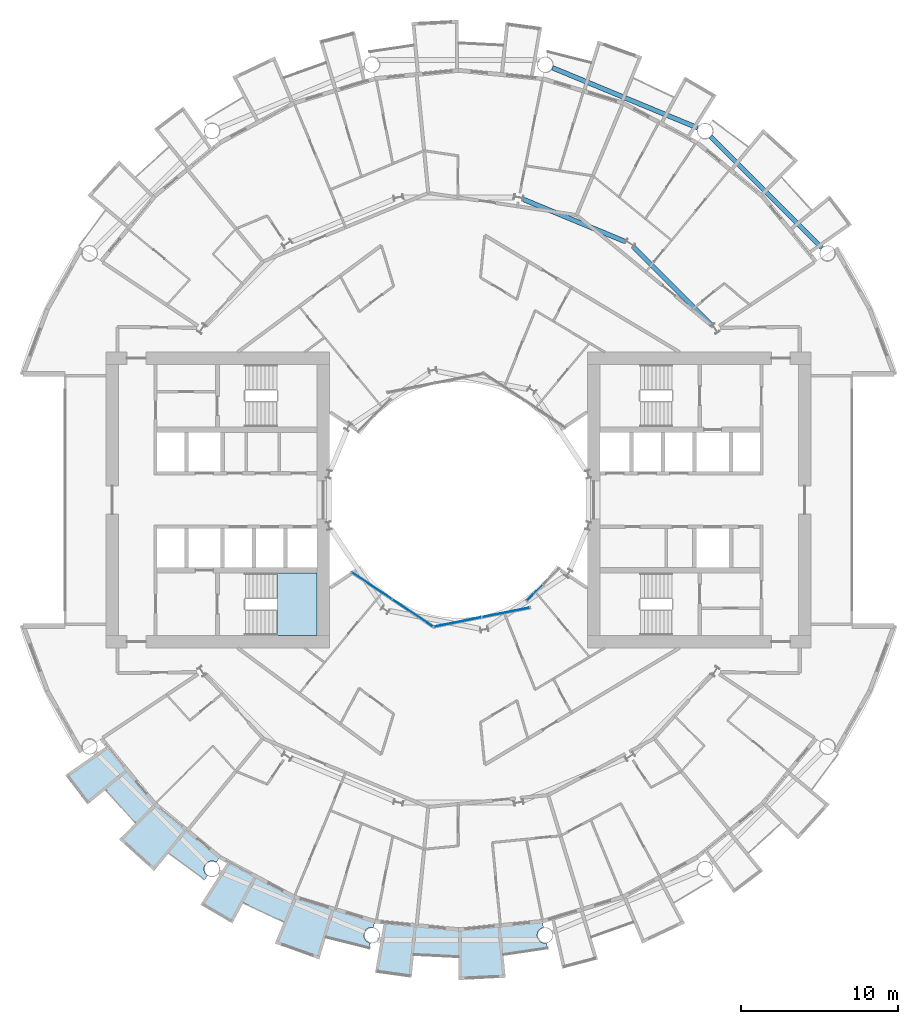
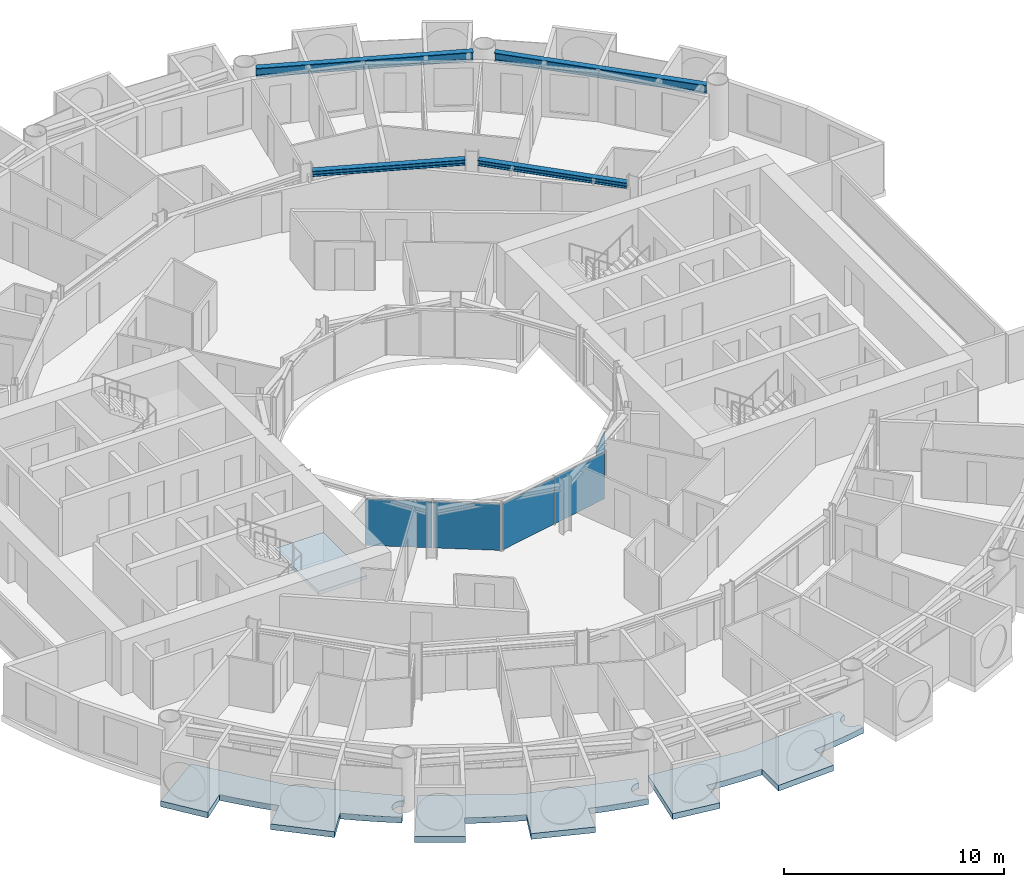
# One storey, part 9 of 26: 5 plates, 4 beams, 4 slabs, 4 elements without a shape of their own.
"""IFC4 building model written with IfcOpenShell, lengths in metres."""

from ifc_helpers import new_model, si_unit, direction, frame, origin, origin_2d, place, context, subcontext, project, spatial, polyline, rectangle, i_section, outline, extrude, material, layer, layer_set, material_profile, profile_set, type_object, element, aggregate, save


model = new_model("IFC4")

# Units and contexts
model_context = context("Model", 3, precision=1e-05, world=origin(), true_north=direction((0.0, 1.0)))
body_context = subcontext(model_context, "Body", "Model", "MODEL_VIEW")
ifc_project = project(units=[si_unit("LENGTHUNIT", "METRE"), si_unit("AREAUNIT", "SQUARE_METRE"), si_unit("VOLUMEUNIT", "CUBIC_METRE"), si_unit("PLANEANGLEUNIT", "RADIAN"), si_unit("MASSUNIT", "GRAM", prefix="KILO")], contexts=[model_context])

# Site, building, storey
site_placement = place(None, origin())
site = spatial("IfcSite", under=ifc_project, at=site_placement, CompositionType="ELEMENT")
building_placement = place(site_placement, origin())
building = spatial("IfcBuilding", under=site, at=building_placement, Name="Maasbend Ring Residences", CompositionType="ELEMENT")
storey_placement = place(building_placement, frame((0.0, 0.0, 47.199951171875)))
storey = spatial("IfcBuildingStorey", under=building, at=storey_placement, Name="L13", CompositionType="ELEMENT", Elevation=47.199951171875)

# Beams
ifc_material_1 = material(Name="Steel S355J2", Category="steel")
ifc_material_profile_1 = material_profile(ifc_material_1, i_section(OverallWidth=0.300048828125, OverallDepth=0.300048828125, WebThickness=0.010986328125, FlangeThickness=0.01904296875, FilletRadius=0.027099609375, at=origin_2d()), Name="HEB 300")
ifc_profile_set_1 = profile_set([ifc_material_profile_1], Name="Steel S355J2")
beam_type_1 = type_object("IfcBeamType", Name="Corridor ring beam HEB 300", PredefinedType="BEAM", material=ifc_profile_set_1)
beam_1_placement = place(storey_placement, frame((16.0732421875, 11.11279296875, 2.550048828125), z_axis=(-0.707106781187, 0.707106781187, 0.0), x_axis=(-0.707106781187, -0.707106781187, 0.0)))
element("IfcBeam", 1, at=beam_1_placement, inside=storey, type_object=beam_type_1, Name="Corridor ring beam", PredefinedType="BEAM", context=body_context, shape_type="SweptSolid", body=[
    extrude(i_section(OverallWidth=0.300048828125, OverallDepth=0.300048828125, WebThickness=0.010986328125, FlangeThickness=0.01904296875, FilletRadius=0.027099609375, at=origin_2d()), origin(), (0.0, 0.0, 1.0), 7.01513671875),
])
beam_2_placement = place(storey_placement, frame((10.59716796875, 16.417724609375, 2.550048828125), z_axis=(-0.923886196809, 0.38266734293, 0.0), x_axis=(-0.38266734293, -0.923886196809, 0.0)))
element("IfcBeam", 2, at=beam_2_placement, inside=storey, type_object=beam_type_1, Name="Corridor ring beam", PredefinedType="BEAM", context=body_context, shape_type="SweptSolid", body=[
    extrude(i_section(OverallWidth=0.300048828125, OverallDepth=0.300048828125, WebThickness=0.010986328125, FlangeThickness=0.01904296875, FilletRadius=0.027099609375, at=origin_2d()), origin(), (0.0, 0.0, 1.0), 7.015380859375),
])
ifc_material_2 = material(Name="Steel S355J2", Category="steel")
ifc_material_profile_2 = material_profile(ifc_material_2, i_section(OverallWidth=0.300048828125, OverallDepth=0.5, WebThickness=0.014404296875, FlangeThickness=0.028076171875, FilletRadius=0.027099609375, at=origin_2d()), Name="HEB 500")
ifc_profile_set_2 = profile_set([ifc_material_profile_2], Name="Steel S355J2")
beam_type_2 = type_object("IfcBeamType", Name="Spandrel ring beam HEB 500", PredefinedType="SPANDREL", material=ifc_profile_set_2)
beam_3_placement = place(storey_placement, frame((23.088134765625, 16.0263671875, 2.449951171875), z_axis=(-0.707106781187, 0.707106781187, 0.0), x_axis=(-0.707106781187, -0.707106781187, 0.0)))
element("IfcBeam", 3, at=beam_3_placement, inside=storey, type_object=beam_type_2, Name="Spandrel ring beam", PredefinedType="SPANDREL", context=body_context, shape_type="SweptSolid", body=[
    extrude(i_section(OverallWidth=0.300048828125, OverallDepth=0.5, WebThickness=0.014404296875, FlangeThickness=0.028076171875, FilletRadius=0.027099609375, at=origin_2d()), origin(), (0.0, 0.0, 1.0), 9.98681640625),
])
beam_4_placement = place(storey_placement, frame((15.19775390625, 23.641845703125, 2.449951171875), z_axis=(-0.923886337442, 0.382667003395, 0.0), x_axis=(-0.382667003395, -0.923886337442, 0.0)))
element("IfcBeam", 4, at=beam_4_placement, inside=storey, type_object=beam_type_2, Name="Spandrel ring beam", PredefinedType="SPANDREL", context=body_context, shape_type="SweptSolid", body=[
    extrude(i_section(OverallWidth=0.300048828125, OverallDepth=0.5, WebThickness=0.014404296875, FlangeThickness=0.028076171875, FilletRadius=0.027099609375, at=origin_2d()), origin(), (0.0, 0.0, 1.0), 9.9873046875),
])

# Stair, slab
ifc_material_3 = material(Name="Concrete C40/50", Category="concrete")
stair_type = type_object("IfcStairType", Name="CORE STAIR 18 RISERS", PredefinedType="HALF_TURN_STAIR", material=ifc_material_3)
stair_placement = place(storey_placement, origin())
stair = element("IfcStair", 5, at=stair_placement, inside=storey, type_object=stair_type, Name="L13 Exit stair ST-W1", PredefinedType="HALF_TURN_STAIR")
ifc_material_4 = material(Name="Concrete C40/50", Category="concrete")
ifc_layer_1 = layer(ifc_material_4, 0.199951171875)
ifc_layer_set_1 = layer_set([ifc_layer_1], Name="Concrete C40/50")
slab_type_1 = type_object("IfcSlabType", Name="CORE STAIR LANDING 200", PredefinedType="LANDING", material=ifc_layer_set_1)
slab_1_placement = place(storey_placement, frame((0.0, 0.0, 1.324951171875)))
slab_1 = element("IfcSlab", 6, at=slab_1_placement, type_object=slab_type_1, Name="ST-W1 landing 1", PredefinedType="LANDING", context=body_context, shape_type="SweptSolid", body=[
    extrude(outline(polyline([(-11.550048828125, -8.60009765625), (-9.0, -8.60009765625), (-9.0, -4.64990234375), (-11.550048828125, -4.64990234375), (-11.550048828125, -8.60009765625)])), origin(), (0.0, 0.0, 1.0), 0.2001953125),
])
aggregate(stair, [slab_1])

# Curtain wall, plates
ifc_material_5 = material(Name="Aluminium and clear glass", Category="aluminium")
ifc_layer_2 = layer(ifc_material_5, 0.179931640625)
ifc_layer_set_2 = layer_set([ifc_layer_2], Name="CW-W")
curtain_wall_type = type_object("IfcCurtainWallType", Name="CW-W", PredefinedType="NOTDEFINED", material=ifc_layer_set_2)
curtain_wall_1_placement = place(storey_placement, origin())
curtain_wall_1 = element("IfcCurtainWall", 7, at=curtain_wall_1_placement, inside=storey, type_object=curtain_wall_type, Name="Well curtain wall S1", PredefinedType="NOTDEFINED")
ifc_material_6 = material(Name="Glass clear laminated", Category="glass")
ifc_layer_3 = layer(ifc_material_6, 0.031982421875)
ifc_layer_set_3 = layer_set([ifc_layer_3], Name="CWP-W")
plate_type = type_object("IfcPlateType", Name="CWP-W", PredefinedType="CURTAIN_PANEL", material=ifc_layer_set_3)
plate_1_placement = place(storey_placement, frame((-5.51123046875, -5.44580078125, 0.0), z_axis=(0.0, 0.0, 1.0), x_axis=(0.831469612303, -0.55557023302, 0.0)))
plate_1 = element("IfcPlate", 8, at=plate_1_placement, type_object=plate_type, Name="Glass panel well face", PredefinedType="CURTAIN_PANEL", context=body_context, shape_type="SweptSolid", body=[
    extrude(rectangle(XDim=3.053955078125, YDim=0.031982421875, at=origin_2d()), origin(), (0.0, 0.0, 1.0), 2.580078125),
])
plate_2_placement = place(storey_placement, frame((-2.922119140625, -7.17578125, 0.0), z_axis=(0.0, 0.0, 1.0), x_axis=(0.831469612303, -0.55557023302, 0.0)))
plate_2 = element("IfcPlate", 9, at=plate_2_placement, type_object=plate_type, Name="Glass panel well face", PredefinedType="CURTAIN_PANEL", context=body_context, shape_type="SweptSolid", body=[
    extrude(rectangle(XDim=3.053955078125, YDim=0.031982421875, at=origin_2d()), origin(), (0.0, 0.0, 1.0), 2.580078125),
])
aggregate(curtain_wall_1, [plate_1, plate_2])

curtain_wall_2_placement = place(storey_placement, origin())
curtain_wall_2 = element("IfcCurtainWall", 10, at=curtain_wall_2_placement, inside=storey, type_object=curtain_wall_type, Name="Well curtain wall S2", PredefinedType="NOTDEFINED")
plate_3_placement = place(storey_placement, frame((-0.04638671875, -7.747802734375, 0.0), z_axis=(0.0, 0.0, 1.0), x_axis=(0.980785280403, 0.195090322016, 0.0)))
plate_3 = element("IfcPlate", 11, at=plate_3_placement, type_object=plate_type, Name="Glass panel well face", PredefinedType="CURTAIN_PANEL", context=body_context, shape_type="SweptSolid", body=[
    extrude(rectangle(XDim=3.053955078125, YDim=0.031982421875, at=origin_2d()), origin(), (0.0, 0.0, 1.0), 2.580078125),
])
plate_4_placement = place(storey_placement, frame((3.0078125, -7.140380859375, 0.0), z_axis=(0.0, 0.0, 1.0), x_axis=(0.980785280403, 0.195090322016, 0.0)))
plate_4 = element("IfcPlate", 12, at=plate_4_placement, type_object=plate_type, Name="Glass panel well face", PredefinedType="CURTAIN_PANEL", context=body_context, shape_type="SweptSolid", body=[
    extrude(rectangle(XDim=3.053955078125, YDim=0.031982421875, at=origin_2d()), origin(), (0.0, 0.0, 1.0), 2.580078125),
])
aggregate(curtain_wall_2, [plate_3, plate_4])

# Curtain wall, plate
curtain_wall_3_placement = place(storey_placement, origin())
curtain_wall_3 = element("IfcCurtainWall", 13, at=curtain_wall_3_placement, inside=storey, type_object=curtain_wall_type, Name="Well curtain wall S3", PredefinedType="NOTDEFINED")
plate_5_placement = place(storey_placement, frame((4.84375, -5.89013671875, 0.0), z_axis=(0.0, 0.0, 1.0), x_axis=(0.707106781187, 0.707106781187, 0.0)))
plate_5 = element("IfcPlate", 14, at=plate_5_placement, type_object=plate_type, Name="Glass panel well face", PredefinedType="CURTAIN_PANEL", context=body_context, shape_type="SweptSolid", body=[
    extrude(rectangle(XDim=1.419677734375, YDim=0.031982421875, at=origin_2d()), origin(), (0.0, 0.0, 1.0), 2.580078125),
])
aggregate(curtain_wall_3, [plate_5])

# Slabs
ifc_material_7 = material(Name="Concrete C40/50", Category="concrete")
ifc_layer_4 = layer(ifc_material_7, 0.199951171875)
ifc_layer_set_4 = layer_set([ifc_layer_4], Name="Concrete C40/50")
slab_type_2 = type_object("IfcSlabType", Name="SL-LOGGIA", PredefinedType="FLOOR", material=ifc_layer_set_4)
slab_2_placement = place(storey_placement, frame((0.0, 0.0, -0.349853515625)))
element("IfcSlab", 15, at=slab_2_placement, inside=storey, type_object=slab_type_2, Name="Loggia floor 2", PredefinedType="FLOOR", context=body_context, shape_type="SweptSolid", body=[
    extrude(outline(polyline([(-12.806884765625, -23.9609375), (-10.447021484375, -25.221923828125), (-10.447021484375, -25.221923828125), (-10.447021484375, -25.221923828125), (-7.886962890625, -25.9990234375), (-5.325927734375, -26.77490234375), (-5.325927734375, -26.77490234375), (-5.325927734375, -26.77490234375), (-5.402099609375, -27.159912109375), (-5.4150390625, -27.157958984375), (-5.427001953125, -27.156005859375), (-5.43896484375, -27.154052734375), (-5.451904296875, -27.153076171875), (-5.464111328125, -27.15087890625), (-5.47705078125, -27.15087890625), (-5.489013671875, -27.14990234375), (-5.501953125, -27.14990234375), (-5.513916015625, -27.14990234375), (-5.52587890625, -27.15087890625), (-5.5390625, -27.15087890625), (-5.551025390625, -27.153076171875), (-5.56396484375, -27.154052734375), (-5.575927734375, -27.156005859375), (-5.587890625, -27.157958984375), (-5.60107421875, -27.159912109375), (-5.613037109375, -27.162109375), (-5.625, -27.1650390625), (-5.636962890625, -27.1689453125), (-5.64892578125, -27.172119140625), (-5.660888671875, -27.176025390625), (-5.673095703125, -27.179931640625), (-5.68408203125, -27.18408203125), (-5.696044921875, -27.18896484375), (-5.70703125, -27.194091796875), (-5.718994140625, -27.198974609375), (-5.72998046875, -27.2041015625), (-5.740966796875, -27.2099609375), (-5.751953125, -27.216064453125), (-5.762939453125, -27.221923828125), (-5.77294921875, -27.22900390625), (-5.783935546875, -27.236083984375), (-5.7939453125, -27.242919921875), (-5.803955078125, -27.25), (-5.81396484375, -27.258056640625), (-5.823974609375, -27.264892578125), (-5.8330078125, -27.27294921875), (-5.843017578125, -27.281982421875), (-5.85205078125, -27.2900390625), (-5.861083984375, -27.299072265625), (-5.868896484375, -27.30810546875), (-5.8779296875, -27.31689453125), (-5.885986328125, -27.325927734375), (-5.89404296875, -27.3359375), (-5.902099609375, -27.345947265625), (-5.909912109375, -27.35498046875), (-5.9169921875, -27.365966796875), (-5.924072265625, -27.3759765625), (-5.930908203125, -27.385986328125), (-5.93701171875, -27.39697265625), (-5.944091796875, -27.407958984375), (-5.949951171875, -27.4189453125), (-5.955078125, -27.429931640625), (-5.9609375, -27.44091796875), (-5.966064453125, -27.451904296875), (-5.970947265625, -27.464111328125), (-5.97509765625, -27.47509765625), (-5.97998046875, -27.487060546875), (-5.98388671875, -27.4990234375), (-5.988037109375, -27.510986328125), (-5.990966796875, -27.52294921875), (-5.993896484375, -27.534912109375), (-5.9970703125, -27.547119140625), (-6.0, -27.55908203125), (-6.001953125, -27.571044921875), (-6.00390625, -27.583984375), (-6.006103515625, -27.595947265625), (-6.007080078125, -27.60791015625), (-6.008056640625, -27.62109375), (-6.009033203125, -27.633056640625), (-6.009033203125, -27.64599609375), (-6.010009765625, -27.657958984375), (-6.009033203125, -27.6708984375), (-6.009033203125, -27.68310546875), (-6.008056640625, -27.695068359375), (-6.007080078125, -27.7080078125), (-6.006103515625, -27.719970703125), (-6.00390625, -27.73291015625), (-6.001953125, -27.7451171875), (-6.0, -27.757080078125), (-5.9970703125, -27.76904296875), (-5.993896484375, -27.781982421875), (-5.990966796875, -27.7939453125), (-5.988037109375, -27.805908203125), (-5.98388671875, -27.81689453125), (-5.97998046875, -27.8291015625), (-5.97509765625, -27.841064453125), (-5.970947265625, -27.85302734375), (-5.966064453125, -27.864013671875), (-5.9609375, -27.875), (-5.955078125, -27.886962890625), (-5.949951171875, -27.89794921875), (-5.944091796875, -27.907958984375), (-5.93701171875, -27.9189453125), (-5.930908203125, -27.929931640625), (-5.924072265625, -27.93994140625), (-5.9169921875, -27.950927734375), (-5.909912109375, -27.9609375), (-5.902099609375, -27.970947265625), (-5.89404296875, -27.97998046875), (-5.885986328125, -27.989990234375), (-5.8779296875, -27.9990234375), (-5.868896484375, -28.008056640625), (-5.861083984375, -28.01708984375), (-5.85205078125, -28.02587890625), (-5.843017578125, -28.034912109375), (-5.8330078125, -28.04296875), (-5.823974609375, -28.051025390625), (-5.81396484375, -28.05908203125), (-5.803955078125, -28.06591796875), (-5.7939453125, -28.072998046875), (-5.783935546875, -28.080078125), (-5.77294921875, -28.0869140625), (-5.762939453125, -28.093994140625), (-5.751953125, -28.10009765625), (-5.740966796875, -28.10595703125), (-5.72998046875, -28.112060546875), (-5.718994140625, -28.116943359375), (-5.70703125, -28.123046875), (-5.696044921875, -28.126953125), (-5.68408203125, -28.132080078125), (-5.673095703125, -28.135986328125), (-5.660888671875, -28.139892578125), (-5.64892578125, -28.14404296875), (-5.636962890625, -28.14794921875), (-5.625, -28.15087890625), (-5.613037109375, -28.154052734375), (-5.60107421875, -28.156005859375), (-5.657958984375, -28.443115234375), (-5.657958984375, -28.443115234375), (-5.657958984375, -28.443115234375), (-6.5849609375, -28.241943359375), (-6.5849609375, -28.241943359375), (-7.506103515625, -28.011962890625), (-7.506103515625, -28.011962890625), (-8.41796875, -27.7509765625), (-8.41796875, -27.7509765625), (-8.41796875, -27.7509765625), (-8.41796875, -27.7509765625), (-8.41796875, -27.7509765625), (-8.41796875, -27.7509765625), (-8.41796875, -27.7509765625), (-8.41796875, -27.7509765625), (-8.41796875, -27.7509765625), (-8.41796875, -27.7509765625), (-8.41796875, -27.751953125), (-8.41796875, -27.751953125), (-8.41796875, -27.751953125), (-8.41796875, -27.751953125), (-8.41796875, -27.751953125), (-8.41796875, -27.751953125), (-8.41796875, -27.751953125), (-8.85400390625, -29.18701171875), (-8.85400390625, -29.18701171875), (-8.85400390625, -29.18701171875), (-11.672119140625, -28.177978515625), (-11.672119140625, -28.177978515625), (-11.672119140625, -28.177978515625), (-11.097900390625, -26.79296875), (-11.097900390625, -26.79296875), (-11.097900390625, -26.79296875), (-11.097900390625, -26.79296875), (-11.097900390625, -26.79296875), (-11.097900390625, -26.79296875), (-11.097900390625, -26.79296875), (-11.097900390625, -26.79296875), (-11.097900390625, -26.79296875), (-11.097900390625, -26.79296875), (-11.097900390625, -26.7919921875), (-11.097900390625, -26.7919921875), (-11.097900390625, -26.7919921875), (-11.097900390625, -26.7919921875), (-11.097900390625, -26.7919921875), (-11.097900390625, -26.7919921875), (-11.097900390625, -26.7919921875), (-11.968994140625, -26.4150390625), (-11.968994140625, -26.4150390625), (-12.825927734375, -26.009033203125), (-12.825927734375, -26.009033203125), (-13.669921875, -25.575927734375), (-13.669921875, -25.575927734375), (-13.669921875, -25.575927734375), (-13.669921875, -25.575927734375), (-13.669921875, -25.575927734375), (-13.669921875, -25.575927734375), (-13.669921875, -25.575927734375), (-13.669921875, -25.575927734375), (-13.669921875, -25.575927734375), (-13.669921875, -25.575927734375), (-13.6708984375, -25.575927734375), (-13.6708984375, -25.575927734375), (-13.6708984375, -25.575927734375), (-13.6708984375, -25.575927734375), (-13.6708984375, -25.575927734375), (-13.6708984375, -25.575927734375), (-13.6708984375, -25.575927734375), (-14.3779296875, -26.89892578125), (-14.3779296875, -26.89892578125), (-14.3779296875, -26.89892578125), (-16.39404296875, -25.718994140625), (-16.39404296875, -25.718994140625), (-16.39404296875, -25.718994140625), (-14.64599609375, -22.97705078125), (-14.64599609375, -22.97705078125), (-14.64599609375, -22.97705078125), (-12.806884765625, -23.9609375)])), origin(), (0.0, 0.0, 1.0), 0.31982421875),
])
slab_3_placement = place(storey_placement, frame((0.0, 0.0, -0.349853515625)))
element("IfcSlab", 16, at=slab_3_placement, inside=storey, type_object=slab_type_2, Name="Loggia floor 3", PredefinedType="FLOOR", context=body_context, shape_type="SweptSolid", body=[
    extrude(outline(polyline([(-2.6630859375, -27.0380859375), (0.0, -27.300048828125), (0.0, -27.300048828125), (0.0, -27.300048828125), (2.6630859375, -27.0380859375), (5.325927734375, -26.77490234375), (5.325927734375, -26.77490234375), (5.325927734375, -26.77490234375), (5.402099609375, -27.159912109375), (5.402099609375, -27.159912109375), (5.389892578125, -27.162109375), (5.3779296875, -27.1650390625), (5.365966796875, -27.1689453125), (5.35400390625, -27.172119140625), (5.342041015625, -27.176025390625), (5.330078125, -27.179931640625), (5.319091796875, -27.18408203125), (5.306884765625, -27.18896484375), (5.2958984375, -27.194091796875), (5.283935546875, -27.198974609375), (5.27294921875, -27.2041015625), (5.261962890625, -27.2099609375), (5.2509765625, -27.216064453125), (5.239990234375, -27.221923828125), (5.22998046875, -27.22900390625), (5.218994140625, -27.236083984375), (5.208984375, -27.242919921875), (5.198974609375, -27.25), (5.18896484375, -27.258056640625), (5.178955078125, -27.264892578125), (5.169921875, -27.27294921875), (5.159912109375, -27.281982421875), (5.15087890625, -27.2900390625), (5.14208984375, -27.299072265625), (5.134033203125, -27.30810546875), (5.125, -27.31689453125), (5.116943359375, -27.325927734375), (5.10888671875, -27.3359375), (5.10107421875, -27.345947265625), (5.093017578125, -27.35498046875), (5.0859375, -27.365966796875), (5.0791015625, -27.3759765625), (5.072021484375, -27.385986328125), (5.06591796875, -27.39697265625), (5.05908203125, -27.407958984375), (5.052978515625, -27.4189453125), (5.048095703125, -27.429931640625), (5.0419921875, -27.44091796875), (5.037109375, -27.451904296875), (5.031982421875, -27.464111328125), (5.028076171875, -27.47509765625), (5.02294921875, -27.487060546875), (5.01904296875, -27.4990234375), (5.014892578125, -27.510986328125), (5.011962890625, -27.52294921875), (5.009033203125, -27.534912109375), (5.006103515625, -27.547119140625), (5.0029296875, -27.55908203125), (5.0009765625, -27.571044921875), (4.9990234375, -27.583984375), (4.9970703125, -27.595947265625), (4.99609375, -27.60791015625), (4.9951171875, -27.62109375), (4.993896484375, -27.633056640625), (4.993896484375, -27.64599609375), (4.993896484375, -27.657958984375), (4.993896484375, -27.6708984375), (4.993896484375, -27.68310546875), (4.9951171875, -27.695068359375), (4.99609375, -27.7080078125), (4.9970703125, -27.719970703125), (4.9990234375, -27.73291015625), (5.0009765625, -27.7451171875), (5.0029296875, -27.757080078125), (5.006103515625, -27.76904296875), (5.009033203125, -27.781982421875), (5.011962890625, -27.7939453125), (5.014892578125, -27.805908203125), (5.01904296875, -27.81689453125), (5.02294921875, -27.8291015625), (5.028076171875, -27.841064453125), (5.031982421875, -27.85302734375), (5.037109375, -27.864013671875), (5.0419921875, -27.875), (5.048095703125, -27.886962890625), (5.052978515625, -27.89794921875), (5.05908203125, -27.907958984375), (5.06591796875, -27.9189453125), (5.072021484375, -27.929931640625), (5.0791015625, -27.93994140625), (5.0859375, -27.950927734375), (5.093017578125, -27.9609375), (5.10107421875, -27.970947265625), (5.10888671875, -27.97998046875), (5.116943359375, -27.989990234375), (5.125, -27.9990234375), (5.134033203125, -28.008056640625), (5.14208984375, -28.01708984375), (5.15087890625, -28.02587890625), (5.159912109375, -28.034912109375), (5.169921875, -28.04296875), (5.178955078125, -28.051025390625), (5.18896484375, -28.05908203125), (5.198974609375, -28.06591796875), (5.208984375, -28.072998046875), (5.218994140625, -28.080078125), (5.22998046875, -28.0869140625), (5.239990234375, -28.093994140625), (5.2509765625, -28.10009765625), (5.261962890625, -28.10595703125), (5.27294921875, -28.112060546875), (5.283935546875, -28.116943359375), (5.2958984375, -28.123046875), (5.306884765625, -28.126953125), (5.319091796875, -28.132080078125), (5.330078125, -28.135986328125), (5.342041015625, -28.139892578125), (5.35400390625, -28.14404296875), (5.365966796875, -28.14794921875), (5.3779296875, -28.15087890625), (5.389892578125, -28.154052734375), (5.402099609375, -28.156005859375), (5.4150390625, -28.158935546875), (5.427001953125, -28.160888671875), (5.43896484375, -28.162109375), (5.451904296875, -28.1640625), (5.464111328125, -28.1650390625), (5.47705078125, -28.1650390625), (5.489013671875, -28.166015625), (5.501953125, -28.166015625), (5.513916015625, -28.166015625), (5.52587890625, -28.1650390625), (5.5390625, -28.1650390625), (5.551025390625, -28.1640625), (5.56396484375, -28.162109375), (5.575927734375, -28.160888671875), (5.587890625, -28.158935546875), (5.60107421875, -28.156005859375), (5.60107421875, -28.156005859375), (5.657958984375, -28.443115234375), (5.657958984375, -28.443115234375), (5.657958984375, -28.443115234375), (4.72412109375, -28.613037109375), (4.72412109375, -28.613037109375), (3.784912109375, -28.751953125), (3.784912109375, -28.751953125), (2.843017578125, -28.860107421875), (2.843017578125, -28.860107421875), (2.843017578125, -28.860107421875), (2.843017578125, -28.860107421875), (2.843017578125, -28.860107421875), (2.843017578125, -28.860107421875), (2.843017578125, -28.860107421875), (2.843017578125, -28.860107421875), (2.843017578125, -28.860107421875), (2.843017578125, -28.861083984375), (2.843017578125, -28.861083984375), (2.843017578125, -28.861083984375), (2.843017578125, -28.861083984375), (2.843017578125, -28.861083984375), (2.843017578125, -28.861083984375), (2.843017578125, -28.861083984375), (2.843017578125, -28.861083984375), (2.989990234375, -30.35302734375), (2.989990234375, -30.35302734375), (2.989990234375, -30.35302734375), (0.0, -30.5), (0.0, -30.5), (0.0, -30.5), (0.0, -29.0), (0.0, -29.0), (0.0, -29.0), (0.0, -29.0), (0.0, -29.0), (0.0, -29.0), (0.0, -29.0), (0.0, -29.0), (0.0, -29.0), (0.0, -29.0), (0.0, -29.0), (0.0, -29.0), (0.0, -29.0), (0.0, -29.0), (0.0, -29.0), (0.0, -29.0), (0.0, -29.0), (-0.948974609375, -28.98388671875), (-0.948974609375, -28.98388671875), (-1.89697265625, -28.93798828125), (-1.89697265625, -28.93798828125), (-2.842041015625, -28.860107421875), (-2.842041015625, -28.860107421875), (-2.842041015625, -28.860107421875), (-2.842041015625, -28.860107421875), (-2.842041015625, -28.860107421875), (-2.842041015625, -28.860107421875), (-2.842041015625, -28.860107421875), (-2.842041015625, -28.860107421875), (-2.842041015625, -28.861083984375), (-2.842041015625, -28.861083984375), (-2.842041015625, -28.861083984375), (-2.842041015625, -28.861083984375), (-2.842041015625, -28.861083984375), (-2.843017578125, -28.861083984375), (-2.843017578125, -28.861083984375), (-2.843017578125, -28.861083984375), (-2.843017578125, -28.861083984375), (-2.989990234375, -30.35302734375), (-2.989990234375, -30.35302734375), (-2.989990234375, -30.35302734375), (-5.303955078125, -30.034912109375), (-5.303955078125, -30.034912109375), (-5.303955078125, -30.034912109375), (-4.739013671875, -26.8330078125), (-4.739013671875, -26.8330078125), (-4.739013671875, -26.8330078125), (-2.6630859375, -27.0380859375)])), origin(), (0.0, 0.0, 1.0), 0.31982421875),
])
slab_4_placement = place(storey_placement, frame((0.0, 0.0, -0.349853515625)))
element("IfcSlab", 17, at=slab_4_placement, inside=storey, type_object=slab_type_2, Name="Loggia floor 5", PredefinedType="FLOOR", context=body_context, shape_type="SweptSolid", body=[
    extrude(outline(polyline([(-21.001953125, -17.236083984375), (-19.303955078125, -19.303955078125), (-19.303955078125, -19.303955078125), (-19.303955078125, -19.303955078125), (-17.236083984375, -21.001953125), (-15.1669921875, -22.698974609375), (-15.1669921875, -22.698974609375), (-15.1669921875, -22.698974609375), (-15.385009765625, -23.02490234375), (-15.385009765625, -23.02490234375), (-15.39501953125, -23.01806640625), (-15.406005859375, -23.011962890625), (-15.4169921875, -23.0048828125), (-15.427978515625, -22.9990234375), (-15.43896484375, -22.993896484375), (-15.449951171875, -22.988037109375), (-15.4609375, -22.98291015625), (-15.472900390625, -22.97802734375), (-15.48388671875, -22.972900390625), (-15.49609375, -22.968994140625), (-15.508056640625, -22.965087890625), (-15.52001953125, -22.9609375), (-15.531982421875, -22.9580078125), (-15.5439453125, -22.955078125), (-15.555908203125, -22.951904296875), (-15.568115234375, -22.948974609375), (-15.580078125, -22.947021484375), (-15.593017578125, -22.945068359375), (-15.60498046875, -22.943115234375), (-15.616943359375, -22.94189453125), (-15.6298828125, -22.94091796875), (-15.64208984375, -22.93994140625), (-15.655029296875, -22.93994140625), (-15.6669921875, -22.93896484375), (-15.679931640625, -22.93994140625), (-15.69189453125, -22.93994140625), (-15.7041015625, -22.94091796875), (-15.717041015625, -22.94189453125), (-15.72900390625, -22.943115234375), (-15.741943359375, -22.945068359375), (-15.75390625, -22.947021484375), (-15.76611328125, -22.948974609375), (-15.778076171875, -22.951904296875), (-15.791015625, -22.955078125), (-15.802978515625, -22.9580078125), (-15.81494140625, -22.9609375), (-15.825927734375, -22.965087890625), (-15.837890625, -22.968994140625), (-15.85009765625, -22.972900390625), (-15.862060546875, -22.97802734375), (-15.873046875, -22.98291015625), (-15.884033203125, -22.988037109375), (-15.89599609375, -22.993896484375), (-15.906982421875, -22.9990234375), (-15.9169921875, -23.0048828125), (-15.927978515625, -23.011962890625), (-15.93896484375, -23.01806640625), (-15.948974609375, -23.02490234375), (-15.9599609375, -23.031982421875), (-15.969970703125, -23.0390625), (-15.97998046875, -23.047119140625), (-15.989013671875, -23.054931640625), (-15.9990234375, -23.06298828125), (-16.008056640625, -23.071044921875), (-16.01708984375, -23.0791015625), (-16.02587890625, -23.087890625), (-16.034912109375, -23.096923828125), (-16.0439453125, -23.10595703125), (-16.052001953125, -23.115966796875), (-16.06005859375, -23.125), (-16.068115234375, -23.135009765625), (-16.074951171875, -23.14501953125), (-16.08203125, -23.155029296875), (-16.089111328125, -23.1650390625), (-16.095947265625, -23.176025390625), (-16.10302734375, -23.18603515625), (-16.10888671875, -23.197021484375), (-16.114990234375, -23.2080078125), (-16.12109375, -23.218994140625), (-16.1259765625, -23.22998046875), (-16.132080078125, -23.241943359375), (-16.135986328125, -23.2529296875), (-16.14111328125, -23.264892578125), (-16.14501953125, -23.27587890625), (-16.14892578125, -23.2880859375), (-16.153076171875, -23.300048828125), (-16.156982421875, -23.31201171875), (-16.159912109375, -23.323974609375), (-16.1630859375, -23.3359375), (-16.1650390625, -23.347900390625), (-16.16796875, -23.361083984375), (-16.169921875, -23.373046875), (-16.1708984375, -23.385009765625), (-16.173095703125, -23.39794921875), (-16.174072265625, -23.409912109375), (-16.174072265625, -23.422119140625), (-16.175048828125, -23.43505859375), (-16.175048828125, -23.447021484375), (-16.175048828125, -23.4599609375), (-16.174072265625, -23.471923828125), (-16.174072265625, -23.485107421875), (-16.173095703125, -23.4970703125), (-16.1708984375, -23.510009765625), (-16.169921875, -23.52197265625), (-16.16796875, -23.533935546875), (-16.1650390625, -23.547119140625), (-16.1630859375, -23.55908203125), (-16.159912109375, -23.571044921875), (-16.156982421875, -23.5830078125), (-16.153076171875, -23.594970703125), (-16.14892578125, -23.60693359375), (-16.14501953125, -23.618896484375), (-16.14111328125, -23.6298828125), (-16.135986328125, -23.64208984375), (-16.132080078125, -23.653076171875), (-16.1259765625, -23.6650390625), (-16.12109375, -23.676025390625), (-16.114990234375, -23.68701171875), (-16.10888671875, -23.697998046875), (-16.10302734375, -23.708984375), (-16.095947265625, -23.718994140625), (-16.089111328125, -23.72998046875), (-16.08203125, -23.739990234375), (-16.074951171875, -23.75), (-16.068115234375, -23.760009765625), (-16.06005859375, -23.77001953125), (-16.052001953125, -23.779052734375), (-16.0439453125, -23.7890625), (-16.034912109375, -23.798095703125), (-16.02587890625, -23.806884765625), (-16.01708984375, -23.81494140625), (-16.008056640625, -23.823974609375), (-15.9990234375, -23.83203125), (-15.989013671875, -23.840087890625), (-15.97998046875, -23.847900390625), (-15.969970703125, -23.85498046875), (-15.9599609375, -23.863037109375), (-15.948974609375, -23.8701171875), (-15.948974609375, -23.8701171875), (-16.112060546875, -24.113037109375), (-16.112060546875, -24.113037109375), (-16.112060546875, -24.113037109375), (-16.89208984375, -23.572998046875), (-16.89208984375, -23.572998046875), (-17.654052734375, -23.007080078125), (-17.654052734375, -23.007080078125), (-18.39697265625, -22.41796875), (-18.39697265625, -22.41796875), (-18.39697265625, -22.41796875), (-18.39697265625, -22.41796875), (-18.39697265625, -22.41796875), (-18.39697265625, -22.41796875), (-18.39697265625, -22.41796875), (-18.39697265625, -22.41796875), (-18.39697265625, -22.41796875), (-18.39697265625, -22.41796875), (-18.39697265625, -22.41796875), (-18.39794921875, -22.41796875), (-18.39794921875, -22.41796875), (-18.39794921875, -22.41796875), (-18.39794921875, -22.41796875), (-18.39794921875, -22.41796875), (-18.39794921875, -22.41796875), (-19.34912109375, -23.576904296875), (-19.34912109375, -23.576904296875), (-19.34912109375, -23.576904296875), (-21.56689453125, -21.56689453125), (-21.56689453125, -21.56689453125), (-21.56689453125, -21.56689453125), (-20.506103515625, -20.506103515625), (-20.506103515625, -20.506103515625), (-20.506103515625, -20.506103515625), (-20.506103515625, -20.506103515625), (-20.506103515625, -20.506103515625), (-20.506103515625, -20.506103515625), (-20.506103515625, -20.506103515625), (-20.506103515625, -20.506103515625), (-20.506103515625, -20.506103515625), (-20.506103515625, -20.506103515625), (-20.506103515625, -20.506103515625), (-20.506103515625, -20.506103515625), (-20.506103515625, -20.506103515625), (-20.506103515625, -20.506103515625), (-20.506103515625, -20.506103515625), (-20.506103515625, -20.506103515625), (-20.506103515625, -20.506103515625), (-21.166015625, -19.823974609375), (-21.166015625, -19.823974609375), (-21.802978515625, -19.12109375), (-21.802978515625, -19.12109375), (-22.4169921875, -18.39794921875), (-22.4169921875, -18.39794921875), (-22.4169921875, -18.39794921875), (-22.4169921875, -18.39794921875), (-22.4169921875, -18.39794921875), (-22.4169921875, -18.39794921875), (-22.4169921875, -18.39794921875), (-22.4169921875, -18.39794921875), (-22.4169921875, -18.39794921875), (-22.4169921875, -18.39794921875), (-22.4169921875, -18.39794921875), (-22.4169921875, -18.39794921875), (-22.41796875, -18.39794921875), (-22.41796875, -18.39794921875), (-22.41796875, -18.39794921875), (-22.41796875, -18.39794921875), (-22.41796875, -18.39794921875), (-23.576904296875, -19.34912109375), (-23.576904296875, -19.34912109375), (-23.576904296875, -19.34912109375), (-24.989013671875, -17.488037109375), (-24.989013671875, -17.488037109375), (-24.989013671875, -17.488037109375), (-22.324951171875, -15.623046875), (-22.324951171875, -15.623046875), (-22.324951171875, -15.623046875), (-21.001953125, -17.236083984375)])), origin(), (0.0, 0.0, 1.0), 0.31982421875),
])

save(model, "model.ifc")
